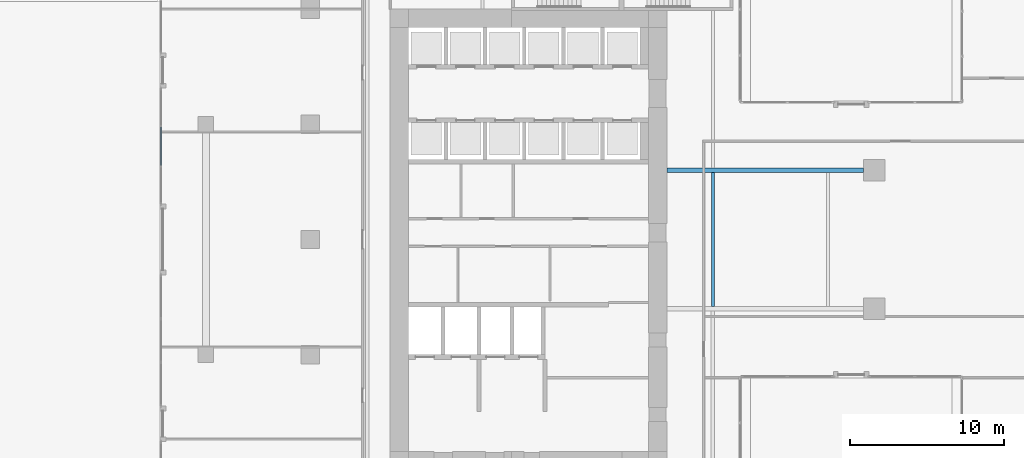
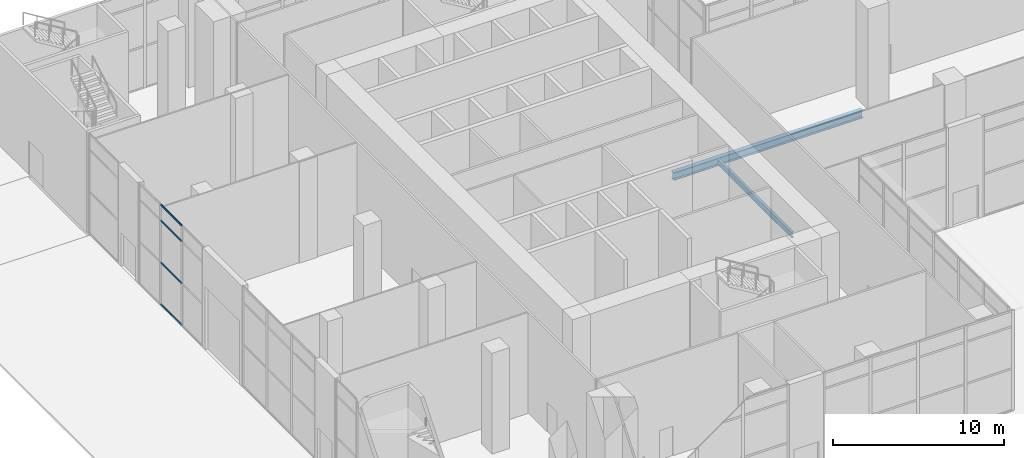
# One storey, part 12 of 52: 4 members, 2 beams, 1 element without a shape of its own.
"""IFC4 building model written with IfcOpenShell, lengths in metres."""

from ifc_helpers import new_model, si_unit, direction, frame, origin, origin_2d, place, context, subcontext, project, spatial, hollow_rectangle, i_section, extrude, source, transform, mapped, material, material_profile, profile_set, type_object, element, aggregate, save


model = new_model("IFC4")

# Units and contexts
model_context = context("Model", 3, precision=1e-05, world=origin(), true_north=direction((0.0, 1.0)))
body_context = subcontext(model_context, "Body", "Model", "MODEL_VIEW")
ifc_project = project(units=[si_unit("LENGTHUNIT", "METRE"), si_unit("AREAUNIT", "SQUARE_METRE"), si_unit("VOLUMEUNIT", "CUBIC_METRE"), si_unit("PLANEANGLEUNIT", "RADIAN"), si_unit("MASSUNIT", "GRAM", prefix="KILO")], contexts=[model_context])

# Site, building, storey
site_placement = place(None, origin())
site = spatial("IfcSite", under=ifc_project, at=site_placement, CompositionType="ELEMENT")
building_placement = place(site_placement, origin())
building = spatial("IfcBuilding", under=site, at=building_placement, Name="Khomas Fold Tower", CompositionType="ELEMENT")
storey_placement = place(building_placement, origin())
storey = spatial("IfcBuildingStorey", under=building, at=storey_placement, Name="L00", CompositionType="ELEMENT", Elevation=0.0)

# Beams
ifc_material_1 = material(Name="Steel S355", Category="steel")
ifc_material_profile_1 = material_profile(ifc_material_1, i_section(OverallWidth=0.300048828125, OverallDepth=0.550048828125, WebThickness=0.014892578125, FlangeThickness=0.029052734375, at=origin_2d()), Name="HE 550 B")
ifc_profile_set_1 = profile_set([ifc_material_profile_1], Name="Steel S355")
beam_type_1 = type_object("IfcBeamType", Name="HE 550 B beam GB4", PredefinedType="BEAM", material=ifc_profile_set_1)
shared_shape_1 = source(origin(), body_context, "Body", "SweptSolid", [
    extrude(i_section(OverallWidth=0.300048828125, OverallDepth=0.550048828125, WebThickness=0.014892578125, FlangeThickness=0.029052734375, at=origin_2d()), origin(), (0.0, 0.0, 1.0), 12.800048828125),
])
beam_1_placement = place(storey_placement, frame((24.0, 31.5, -0.625), z_axis=(1.0, 0.0, 0.0), x_axis=(0.0, 1.0, 0.0)))
element("IfcBeam", 1, at=beam_1_placement, inside=storey, type_object=beam_type_1, Name="GB4", PredefinedType="BEAM", context=body_context, shape_type="MappedRepresentation", body=[
    mapped(shared_shape_1, transform((0.0, 0.0, 0.0))),
])
ifc_material_2 = material(Name="Steel S355", Category="steel")
ifc_material_profile_2 = material_profile(ifc_material_2, i_section(OverallWidth=0.179931640625, OverallDepth=0.39990234375, WebThickness=0.008544921875, FlangeThickness=0.013427734375, at=origin_2d()), Name="IPE 400")
ifc_profile_set_2 = profile_set([ifc_material_profile_2], Name="Steel S355")
beam_type_2 = type_object("IfcBeamType", Name="IPE 400 beam JB3", PredefinedType="BEAM", material=ifc_profile_set_2)
shared_shape_2 = source(origin(), body_context, "Body", "SweptSolid", [
    extrude(i_section(OverallWidth=0.179931640625, OverallDepth=0.39990234375, WebThickness=0.008544921875, FlangeThickness=0.013427734375, at=origin_2d()), origin(), (0.0, 0.0, 1.0), 8.7001953125),
])
beam_2_placement = place(storey_placement, frame((27.0, 22.64990234375, -0.550048828125), z_axis=(0.0, 1.0, 0.0), x_axis=(-1.0, 0.0, 0.0)))
element("IfcBeam", 2, at=beam_2_placement, inside=storey, type_object=beam_type_2, Name="JB3", PredefinedType="BEAM", context=body_context, shape_type="MappedRepresentation", body=[
    mapped(shared_shape_2, transform((0.0, 0.0, 0.0))),
])

# Curtain wall, members
ifc_material_3 = material(Name="Aluminium framed double glazing", Category="aluminium")
curtain_wall_type = type_object("IfcCurtainWallType", Name="Shopfront glazing PD-CW", PredefinedType="NOTDEFINED", material=ifc_material_3)
curtain_wall_placement = place(storey_placement, origin())
curtain_wall = element("IfcCurtainWall", 3, at=curtain_wall_placement, inside=storey, type_object=curtain_wall_type, Name="Podium shopfront run", PredefinedType="NOTDEFINED")
ifc_material_4 = material(Name="Aluminium", Category="aluminium")
ifc_material_profile_3 = material_profile(ifc_material_4, hollow_rectangle(XDim=0.06005859375, YDim=0.1201171875, WallThickness=0.00390625, at=origin_2d()), Name="Shopfront glazing transom PD-CW-T")
ifc_profile_set_3 = profile_set([ifc_material_profile_3], Name="Aluminium")
member_type = type_object("IfcMemberType", Name="Shopfront glazing transom PD-CW-T", PredefinedType="USERDEFINED", material=ifc_profile_set_3)
shared_shape_3 = source(origin(), body_context, "Body", "SweptSolid", [
    extrude(hollow_rectangle(XDim=0.06005859375, YDim=0.1201171875, WallThickness=0.00390625, at=origin_2d()), origin(), (0.0, 0.0, 1.0), 2.45654296875),
])
member_1_placement = place(storey_placement, frame((-8.919921875, 34.30322265625, 0.030029296875), z_axis=(0.0, -1.0, 0.0), x_axis=(1.0, 0.0, 0.0)))
member_1 = element("IfcMember", 4, at=member_1_placement, type_object=member_type, Name="PD-CW transom 2.1", ObjectType="TRANSOM", PredefinedType="USERDEFINED", context=body_context, shape_type="MappedRepresentation", body=[
    mapped(shared_shape_3, transform((0.0, 0.0, 0.0))),
])
member_2_placement = place(storey_placement, frame((-8.919921875, 34.30322265625, 3.0), z_axis=(0.0, -1.0, 0.0), x_axis=(1.0, 0.0, 0.0)))
member_2 = element("IfcMember", 5, at=member_2_placement, type_object=member_type, Name="PD-CW transom 2.2", ObjectType="TRANSOM", PredefinedType="USERDEFINED", context=body_context, shape_type="MappedRepresentation", body=[
    mapped(shared_shape_3, transform((0.0, 0.0, 0.0))),
])
member_3_placement = place(storey_placement, frame((-8.919921875, 34.30322265625, 6.0), z_axis=(0.0, -1.0, 0.0), x_axis=(1.0, 0.0, 0.0)))
member_3 = element("IfcMember", 6, at=member_3_placement, type_object=member_type, Name="PD-CW transom 2.3", ObjectType="TRANSOM", PredefinedType="USERDEFINED", context=body_context, shape_type="MappedRepresentation", body=[
    mapped(shared_shape_3, transform((0.0, 0.0, 0.0))),
])
member_4_placement = place(storey_placement, frame((-8.919921875, 34.30322265625, 7.1201171875), z_axis=(0.0, -1.0, 0.0), x_axis=(1.0, 0.0, 0.0)))
member_4 = element("IfcMember", 7, at=member_4_placement, type_object=member_type, Name="PD-CW transom 2.4", ObjectType="TRANSOM", PredefinedType="USERDEFINED", context=body_context, shape_type="MappedRepresentation", body=[
    mapped(shared_shape_3, transform((0.0, 0.0, 0.0))),
])
aggregate(curtain_wall, [member_1, member_2, member_3, member_4])

save(model, "model.ifc")
